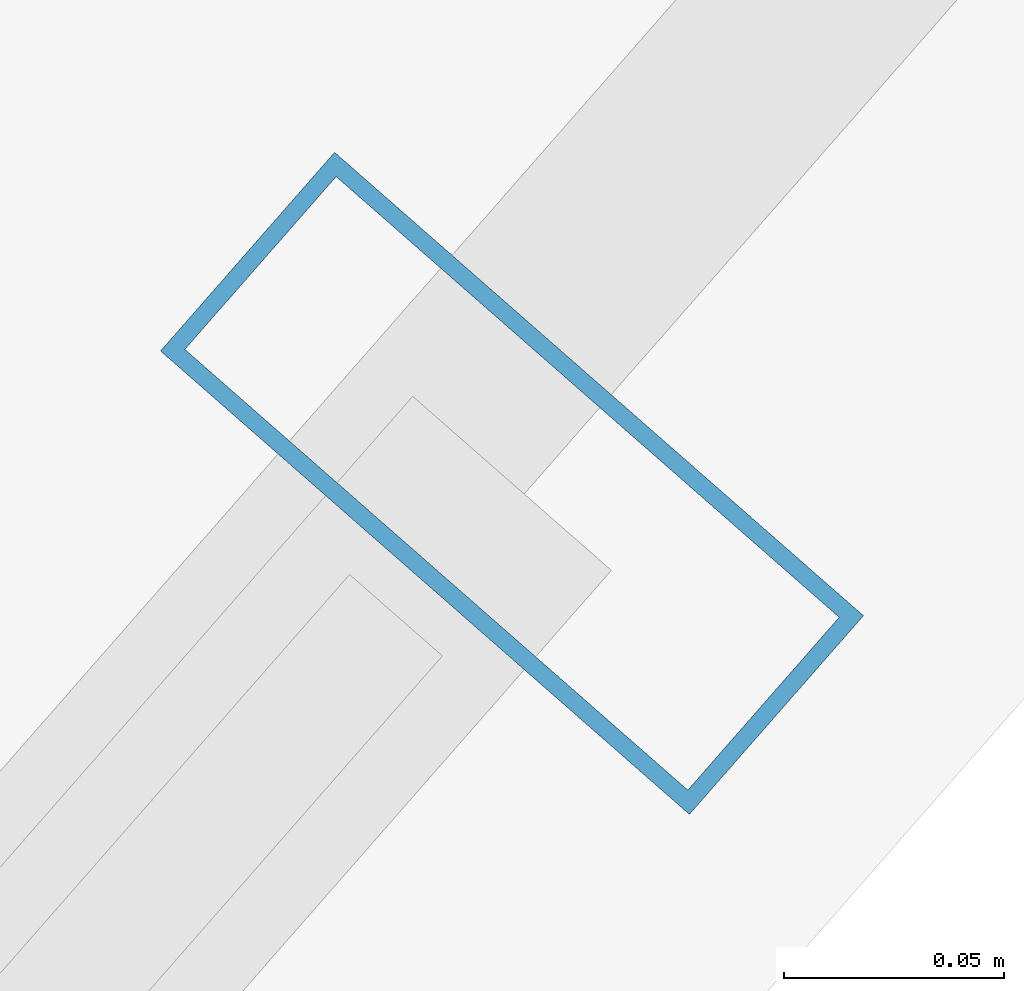
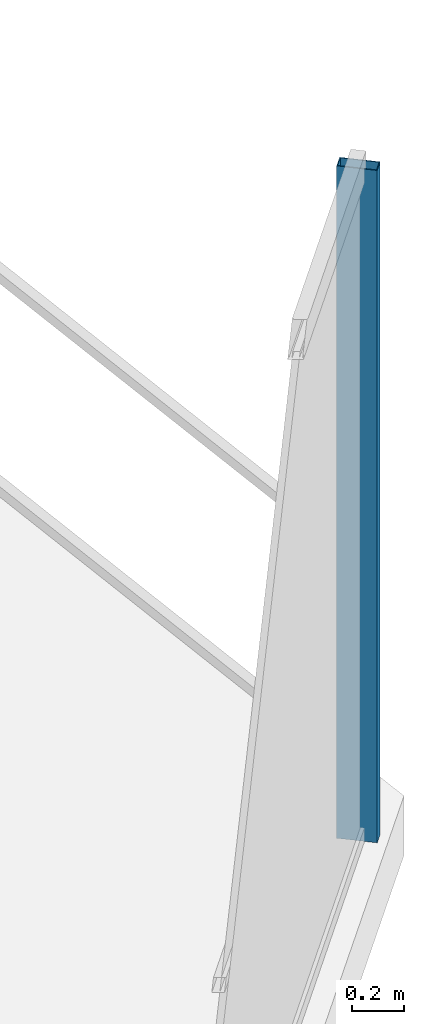
# One storey, part 16 of 33: 1 member, 1 element without a shape of its own.
"""IFC4 building model written with IfcOpenShell, lengths in metres."""

from ifc_helpers import new_model, si_unit, direction, frame, origin, origin_2d, place, context, subcontext, project, spatial, hollow_rectangle, extrude, material, layer, layer_set, material_profile, profile_set, type_object, element, aggregate, save


model = new_model("IFC4")

# Units and contexts
model_context = context("Model", 3, precision=1e-05, world=origin(), true_north=direction((0.0, 1.0)))
body_context = subcontext(model_context, "Body", "Model", "MODEL_VIEW")
ifc_project = project(units=[si_unit("LENGTHUNIT", "METRE"), si_unit("AREAUNIT", "SQUARE_METRE"), si_unit("VOLUMEUNIT", "CUBIC_METRE"), si_unit("PLANEANGLEUNIT", "RADIAN"), si_unit("MASSUNIT", "GRAM", prefix="KILO")], contexts=[model_context])

# Site, building, storey
site_placement = place(None, origin())
site = spatial("IfcSite", under=ifc_project, at=site_placement, CompositionType="ELEMENT")
building_placement = place(site_placement, origin())
building = spatial("IfcBuilding", under=site, at=building_placement, Name="Qarnah Convention Tower", CompositionType="ELEMENT")
storey_placement = place(building_placement, frame((0.0, 0.0, 30.449951171875)))
storey = spatial("IfcBuildingStorey", under=building, at=storey_placement, Name="L06", CompositionType="ELEMENT", Elevation=30.449951171875)

# Curtain wall, member
ifc_material_1 = material(Name="Tempered Low-E dark glass", Category="glass")
ifc_layer = layer(ifc_material_1, 0.16796875)
ifc_layer_set = layer_set([ifc_layer], Name="Tempered Low-E dark glass")
curtain_wall_type = type_object("IfcCurtainWallType", Name="CWS-01", PredefinedType="NOTDEFINED", material=ifc_layer_set)
curtain_wall_placement = place(storey_placement, origin())
curtain_wall = element("IfcCurtainWall", 1, at=curtain_wall_placement, inside=storey, type_object=curtain_wall_type, Name="L06 unitised curtain wall CW-L06-F3", PredefinedType="NOTDEFINED")
ifc_material_2 = material(Name="Black anodised aluminium", Category="aluminium")
ifc_material_profile = material_profile(ifc_material_2, hollow_rectangle(XDim=0.06005859375, YDim=0.159912109375, WallThickness=0.00390625, at=origin_2d()), Name="MUL-60X160")
ifc_profile_set = profile_set([ifc_material_profile], Name="Black anodised aluminium")
member_type = type_object("IfcMemberType", Name="MUL-T1", PredefinedType="MULLION", material=ifc_profile_set)
member_placement = place(storey_placement, frame((64.739990234375, 27.2109375, 0.0), z_axis=(0.0, 0.0, 1.0), x_axis=(-0.658980576102, -0.752159956606, 0.0)))
member = element("IfcMember", 2, at=member_placement, type_object=member_type, Name="CW-L06-F3 mullion 1", PredefinedType="MULLION", context=body_context, shape_type="SweptSolid", body=[
    extrude(hollow_rectangle(XDim=0.06005859375, YDim=0.159912109375, WallThickness=0.00390625, at=origin_2d()), origin(), (0.0, 0.0, 1.0), 3.170166015625),
])
aggregate(curtain_wall, [member])

save(model, "model.ifc")
